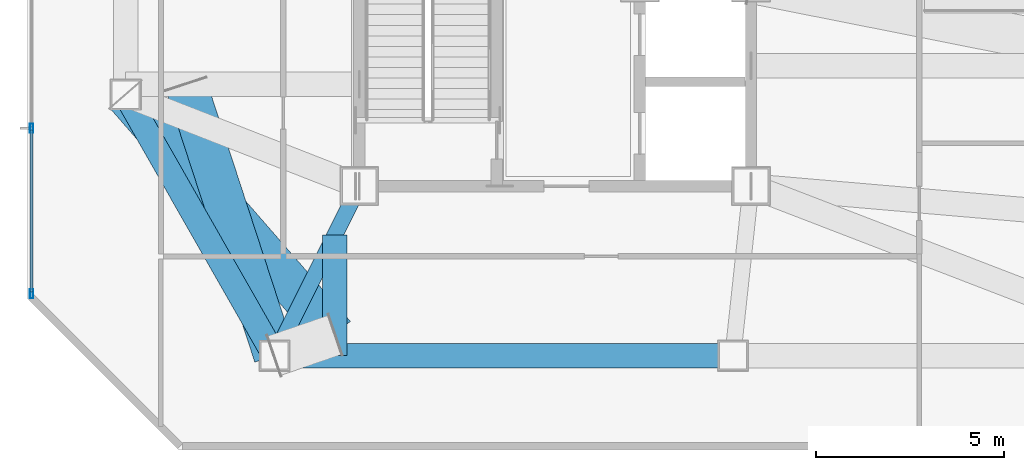
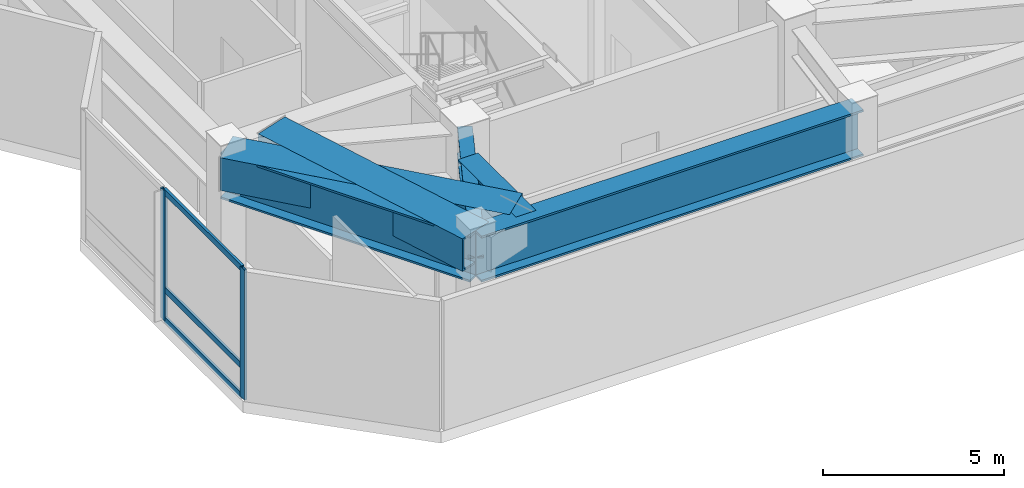
# One storey, part 2 of 11: 6 beams, 5 members, 1 element without a shape of its own.
"""IFC4 building model written with IfcOpenShell, lengths in metres."""

from ifc_helpers import new_model, si_unit, direction, frame, origin, origin_2d, place, context, subcontext, project, spatial, hollow_rectangle, i_section, extrude, material, material_profile, profile_set, type_object, element, aggregate, save


model = new_model("IFC4")

# Units and contexts
model_context = context("Model", 3, precision=1e-05, world=origin(), true_north=direction((0.0, 1.0)))
body_context = subcontext(model_context, "Body", "Model", "MODEL_VIEW")
ifc_project = project(units=[si_unit("LENGTHUNIT", "METRE"), si_unit("AREAUNIT", "SQUARE_METRE"), si_unit("VOLUMEUNIT", "CUBIC_METRE"), si_unit("PLANEANGLEUNIT", "RADIAN"), si_unit("MASSUNIT", "GRAM", prefix="KILO")], contexts=[model_context])

# Site, building, storey
site_placement = place(None, origin())
site = spatial("IfcSite", under=ifc_project, at=site_placement, CompositionType="ELEMENT")
building_placement = place(site_placement, origin())
building = spatial("IfcBuilding", under=site, at=building_placement, Name="Khamvora Tower", CompositionType="ELEMENT")
storey_placement = place(building_placement, frame((0.0, 0.0, 264.64990234375)))
storey = spatial("IfcBuildingStorey", under=building, at=storey_placement, Name="L68", CompositionType="ELEMENT", Elevation=264.64990234375)

# Beams
ifc_material_1 = material(Name="Steel S460", Category="steel")
ifc_material_profile_1 = material_profile(ifc_material_1, hollow_rectangle(XDim=1.10009765625, YDim=1.10009765625, WallThickness=0.054931640625, at=origin_2d()), Name="BOX1100x1100x55")
ifc_profile_set_1 = profile_set([ifc_material_profile_1], Name="Steel S460")
beam_type_1 = type_object("IfcBeamType", Name="BM-TG-BOX1100", PredefinedType="BEAM", material=ifc_profile_set_1)
beam_1_placement = place(storey_placement, frame((22.800048828125, 21.425048828125, 3.830078125), z_axis=(0.656621252525, -0.75422047886, 0.0), x_axis=(0.75422047886, 0.656621252525, 0.0)))
element("IfcBeam", 1, at=beam_1_placement, inside=storey, type_object=beam_type_1, Name="L68 setback frame transfer frame transfer link S1.3", PredefinedType="BEAM", context=body_context, shape_type="SweptSolid", body=[
    extrude(hollow_rectangle(XDim=1.10009765625, YDim=1.10009765625, WallThickness=0.054931640625, at=origin_2d()), origin(), (0.0, 0.0, 1.0), 8.452392578125),
])
beam_2_placement = place(storey_placement, frame((26.75, 14.5, 3.830078125), z_axis=(-0.310293585781, 0.950640778961, 0.0), x_axis=(-0.950640778961, -0.310293585781, 0.0)))
element("IfcBeam", 2, at=beam_2_placement, inside=storey, type_object=beam_type_1, Name="L68 setback frame transfer frame transfer link W1.3", PredefinedType="BEAM", context=body_context, shape_type="SweptSolid", body=[
    extrude(hollow_rectangle(XDim=1.10009765625, YDim=1.10009765625, WallThickness=0.054931640625, at=origin_2d()), origin(), (0.0, 0.0, 1.0), 7.57373046875),
])
ifc_material_profile_2 = material_profile(ifc_material_1, i_section(OverallWidth=0.64990234375, OverallDepth=1.550048828125, WebThickness=0.0400390625, FlangeThickness=0.06494140625, at=origin_2d()), Name="PG1550x650x40x65")
ifc_profile_set_2 = profile_set([ifc_material_profile_2], Name="Steel S460")
beam_type_2 = type_object("IfcBeamType", Name="BM-TG-PG1800", PredefinedType="BEAM", material=ifc_profile_set_2)
beam_3_placement = place(storey_placement, frame((22.800048828125, 21.425048828125, 3.60498046875), z_axis=(0.495456118564, -0.868632968853, 0.0), x_axis=(0.868632968853, 0.495456118564, 0.0)))
element("IfcBeam", 3, at=beam_3_placement, inside=storey, type_object=beam_type_2, Name="L68 perimeter spandrel beam W1-S1", PredefinedType="BEAM", context=body_context, shape_type="SweptSolid", body=[
    extrude(i_section(OverallWidth=0.64990234375, OverallDepth=1.550048828125, WebThickness=0.0400390625, FlangeThickness=0.06494140625, at=origin_2d()), origin(), (0.0, 0.0, 1.0), 7.972412109375),
])
beam_4_placement = place(storey_placement, frame((26.75, 14.5, 3.60498046875), z_axis=(1.0, 0.0, 0.0), x_axis=(0.0, 1.0, 0.0)))
element("IfcBeam", 4, at=beam_4_placement, inside=storey, type_object=beam_type_2, Name="L68 perimeter spandrel beam S1-S2", PredefinedType="BEAM", context=body_context, shape_type="SweptSolid", body=[
    extrude(i_section(OverallWidth=0.64990234375, OverallDepth=1.550048828125, WebThickness=0.0400390625, FlangeThickness=0.06494140625, at=origin_2d()), origin(), (0.0, 0.0, 1.0), 12.1669921875),
])
beam_5_placement = place(storey_placement, frame((28.35009765625, 14.5, 3.60498046875), z_axis=(0.0, 1.0, 0.0), x_axis=(-1.0, 0.0, 0.0)))
element("IfcBeam", 5, at=beam_5_placement, inside=storey, type_object=beam_type_2, Name="L68 setback frame transfer Box Girder S1", PredefinedType="BEAM", context=body_context, shape_type="SweptSolid", body=[
    extrude(i_section(OverallWidth=0.64990234375, OverallDepth=1.550048828125, WebThickness=0.0400390625, FlangeThickness=0.06494140625, at=origin_2d()), origin(), (0.0, 0.0, 1.0), 3.199951171875),
])
ifc_material_profile_3 = material_profile(ifc_material_1, i_section(OverallWidth=0.423095703125, OverallDepth=0.93310546875, WebThickness=0.02392578125, FlangeThickness=0.04296875, FilletRadius=0.02001953125, at=origin_2d()), Name="W920x446")
ifc_profile_set_3 = profile_set([ifc_material_profile_3], Name="Steel S460")
beam_type_3 = type_object("IfcBeamType", Name="BM-TL-900", PredefinedType="BEAM", material=ifc_profile_set_3)
beam_6_placement = place(storey_placement, frame((29.0, 19.0, 3.9130859375), z_axis=(-0.4472135955, -0.894427191, 0.0), x_axis=(0.894427191, -0.4472135955, 0.0)))
element("IfcBeam", 6, at=beam_6_placement, inside=storey, type_object=beam_type_3, Name="L68 primary floor girder S1", PredefinedType="BEAM", context=body_context, shape_type="SweptSolid", body=[
    extrude(i_section(OverallWidth=0.423095703125, OverallDepth=0.93310546875, WebThickness=0.02392578125, FlangeThickness=0.04296875, FilletRadius=0.02001953125, at=origin_2d()), origin(), (0.0, 0.0, 1.0), 5.03125),
])

# Curtain wall, members
ifc_material_2 = material(Name="Anodised Aluminium 6063-T6", Category="aluminium")
curtain_wall_type = type_object("IfcCurtainWallType", Name="CW-SYS-06", PredefinedType="NOTDEFINED", material=ifc_material_2)
curtain_wall_placement = place(storey_placement, origin())
curtain_wall = element("IfcCurtainWall", 7, at=curtain_wall_placement, inside=storey, type_object=curtain_wall_type, Name="L68 stick curtain wall 02.1", PredefinedType="NOTDEFINED")
ifc_material_profile_4 = material_profile(ifc_material_2, hollow_rectangle(XDim=0.080078125, YDim=0.239990234375, WallThickness=0.0048828125, at=origin_2d()), Name="MUL80x240x5")
ifc_profile_set_4 = profile_set([ifc_material_profile_4], Name="Anodised Aluminium 6063-T6")
member_type_1 = type_object("IfcMemberType", Name="CW-SYS-06-MUL", PredefinedType="MULLION", material=ifc_profile_set_4)
member_1_placement = place(storey_placement, frame((20.300048828125, 16.14404296875, 0.0), z_axis=(0.0, 0.0, 1.0), x_axis=(-1.0, 0.0, 0.0)))
member_1 = element("IfcMember", 8, at=member_1_placement, type_object=member_type_1, Name="CW-06 mullion 1", PredefinedType="MULLION", context=body_context, shape_type="SweptSolid", body=[
    extrude(hollow_rectangle(XDim=0.080078125, YDim=0.239990234375, WallThickness=0.0048828125, at=origin_2d()), origin(), (0.0, 0.0, 1.0), 4.380126953125),
])
member_2_placement = place(storey_placement, frame((20.300048828125, 20.535400390625, 0.0), z_axis=(0.0, 0.0, 1.0), x_axis=(-1.0, 0.0, 0.0)))
member_2 = element("IfcMember", 9, at=member_2_placement, type_object=member_type_1, Name="CW-06 mullion 2", PredefinedType="MULLION", context=body_context, shape_type="SweptSolid", body=[
    extrude(hollow_rectangle(XDim=0.080078125, YDim=0.239990234375, WallThickness=0.0048828125, at=origin_2d()), origin(), (0.0, 0.0, 1.0), 4.380126953125),
])
ifc_material_profile_5 = material_profile(ifc_material_2, hollow_rectangle(XDim=0.080078125, YDim=0.195068359375, WallThickness=0.0048828125, at=origin_2d()), Name="TRN80x195x5")
ifc_profile_set_5 = profile_set([ifc_material_profile_5], Name="Anodised Aluminium 6063-T6")
member_type_2 = type_object("IfcMemberType", Name="CW-SYS-06-TRN", PredefinedType="USERDEFINED", material=ifc_profile_set_5)
member_3_placement = place(storey_placement, frame((20.300048828125, 16.18408203125, 0.0400390625), z_axis=(0.0, 1.0, 0.0), x_axis=(-1.0, 0.0, 0.0)))
member_3 = element("IfcMember", 10, at=member_3_placement, type_object=member_type_2, Name="CW-06 transom 1.1", ObjectType="TRANSOM", PredefinedType="USERDEFINED", context=body_context, shape_type="SweptSolid", body=[
    extrude(hollow_rectangle(XDim=0.080078125, YDim=0.195068359375, WallThickness=0.0048828125, at=origin_2d()), origin(), (0.0, 0.0, 1.0), 4.3115234375),
])
member_4_placement = place(storey_placement, frame((20.300048828125, 16.18408203125, 1.050048828125), z_axis=(0.0, 1.0, 0.0), x_axis=(-1.0, 0.0, 0.0)))
member_4 = element("IfcMember", 11, at=member_4_placement, type_object=member_type_2, Name="CW-06 transom 1.2", ObjectType="TRANSOM", PredefinedType="USERDEFINED", context=body_context, shape_type="SweptSolid", body=[
    extrude(hollow_rectangle(XDim=0.080078125, YDim=0.195068359375, WallThickness=0.0048828125, at=origin_2d()), origin(), (0.0, 0.0, 1.0), 4.3115234375),
])
member_5_placement = place(storey_placement, frame((20.300048828125, 16.18408203125, 4.340087890625), z_axis=(0.0, 1.0, 0.0), x_axis=(-1.0, 0.0, 0.0)))
member_5 = element("IfcMember", 12, at=member_5_placement, type_object=member_type_2, Name="CW-06 transom 1.3", ObjectType="TRANSOM", PredefinedType="USERDEFINED", context=body_context, shape_type="SweptSolid", body=[
    extrude(hollow_rectangle(XDim=0.080078125, YDim=0.195068359375, WallThickness=0.0048828125, at=origin_2d()), origin(), (0.0, 0.0, 1.0), 4.3115234375),
])
aggregate(curtain_wall, [member_1, member_2, member_3, member_4, member_5])

save(model, "model.ifc")
